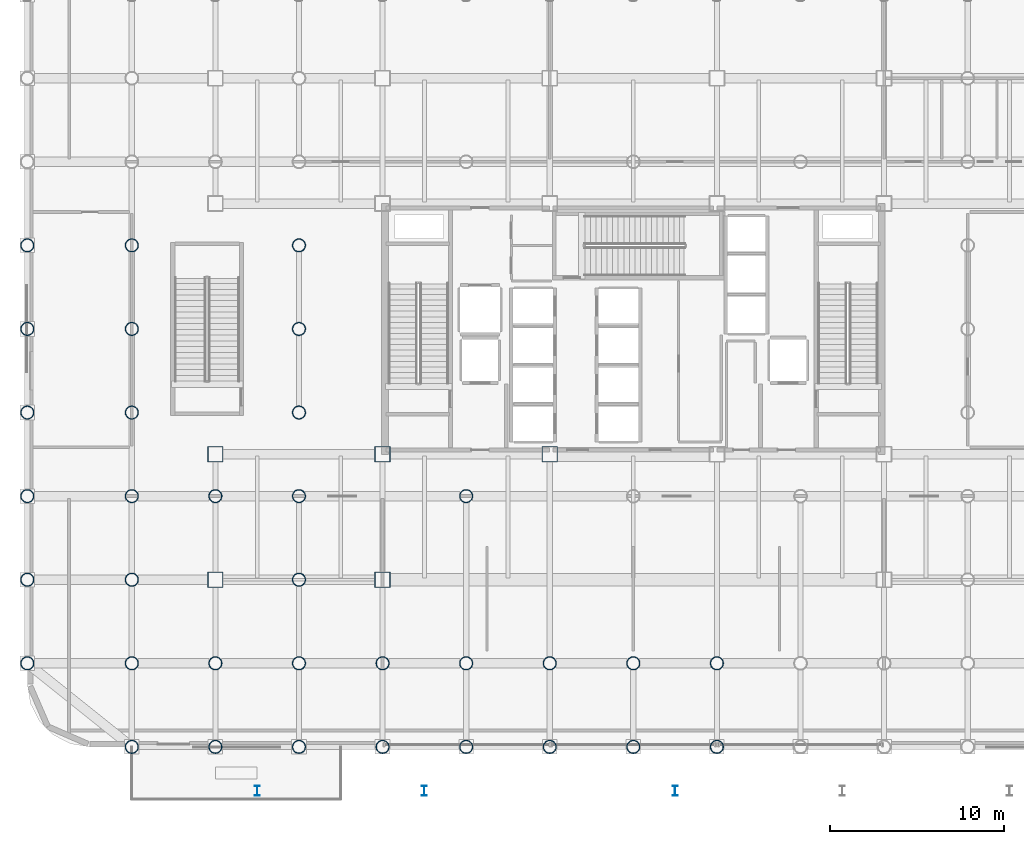
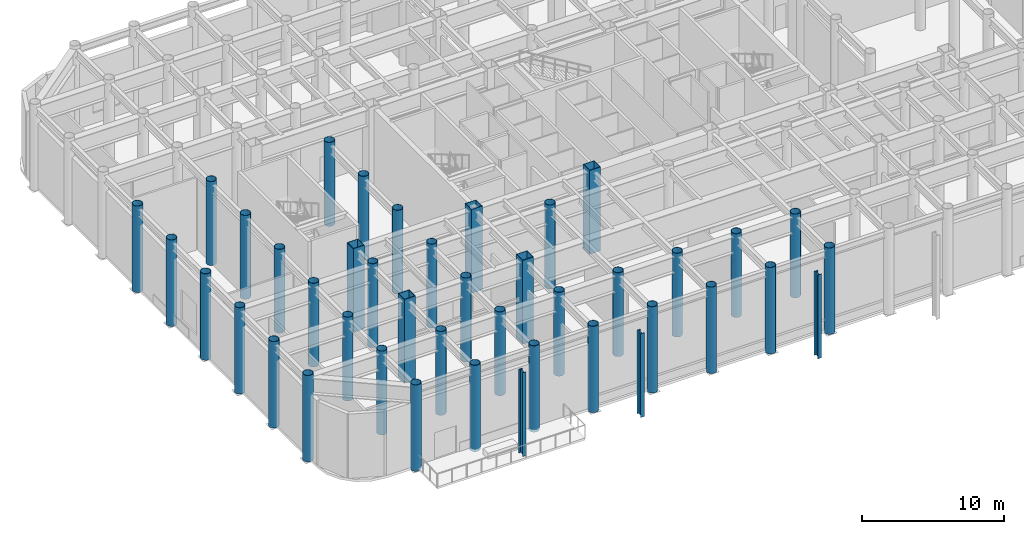
# One storey, part 1 of 23: 42 columns.
"""IFC4 building model written with IfcOpenShell, lengths in metres."""

from ifc_helpers import new_model, si_unit, direction, frame, origin, origin_2d, place, context, subcontext, project, spatial, hollow_rectangle, hollow_circle, i_section, extrude, material, material_profile, profile_set, type_object, element, save


model = new_model("IFC4")

# Units and contexts
model_context = context("Model", 3, precision=1e-05, world=origin(), true_north=direction((0.0, 1.0)))
body_context = subcontext(model_context, "Body", "Model", "MODEL_VIEW")
ifc_project = project(units=[si_unit("LENGTHUNIT", "METRE"), si_unit("AREAUNIT", "SQUARE_METRE"), si_unit("VOLUMEUNIT", "CUBIC_METRE"), si_unit("PLANEANGLEUNIT", "RADIAN"), si_unit("MASSUNIT", "GRAM", prefix="KILO")], contexts=[model_context])

# Site, building, storey
site_placement = place(None, origin())
site = spatial("IfcSite", under=ifc_project, at=site_placement, CompositionType="ELEMENT")
building_placement = place(site_placement, origin())
building = spatial("IfcBuilding", under=site, at=building_placement, Name="Kallvorn Hotel Tower", CompositionType="ELEMENT")
storey_placement = place(building_placement, frame((0.0, 0.0, 12.0)))
storey = spatial("IfcBuildingStorey", under=building, at=storey_placement, Name="L02", CompositionType="ELEMENT", Elevation=12.0)

# Columns
ifc_material_1 = material(Name="Structural steel S355J2H", Category="steel")
ifc_material_profile_1 = material_profile(ifc_material_1, hollow_circle(Radius=0.381103515625, WallThickness=0.031982421875, at=origin_2d()), Name="CHS 762x32")
ifc_profile_set_1 = profile_set([ifc_material_profile_1], Name="Structural steel S355J2H")
column_type_1 = type_object("IfcColumnType", Name="COL_CHS_762", PredefinedType="COLUMN", material=ifc_profile_set_1)
for number, where, z_axis, x_axis, name in (
    (1, (-34.800048828125, -19.199951171875, -0.219970703125), (0.0, 0.0, 1.0), (1.0, 0.0, 0.0), "L02 Exoskeleton Column EC01"),
    (2, (-34.800048828125, -14.39990234375, -0.219970703125), (0.0, 0.0, 1.0), (1.0, 0.0, 0.0), "L02 Exoskeleton Column EC02"),
    (3, (-34.800048828125, -9.60009765625, -0.219970703125), (0.0, 0.0, 1.0), (1.0, 0.0, 0.0), "L02 Exoskeleton Column EC03"),
    (4, (-34.800048828125, -4.800048828125, -0.219970703125), (0.0, 0.0, 1.0), (1.0, 0.0, 0.0), "L02 Exoskeleton Column EC04"),
    (5, (-34.800048828125, 0.0, -0.219970703125), (0.0, 0.0, 1.0), (1.0, 0.0, 0.0), "L02 Exoskeleton Column EC05"),
    (6, (-34.800048828125, 4.800048828125, -0.219970703125), (0.0, 0.0, 1.0), (1.0, 0.0, 0.0), "L02 Exoskeleton Column EC06"),
    (7, (-28.800048828125, -24.0, -0.219970703125), (0.0, 0.0, 1.0), (1.0, 0.0, 0.0), "L02 Exoskeleton Column EC10"),
):
    element("IfcColumn", number, at=place(storey_placement, frame(where, z_axis=z_axis, x_axis=x_axis)), inside=storey, type_object=column_type_1, Name=name, PredefinedType="COLUMN", context=body_context, shape_type="SweptSolid", body=[
        extrude(hollow_circle(Radius=0.381103515625, WallThickness=0.031982421875, at=origin_2d()), origin(), (0.0, 0.0, 1.0), 7.419921875),
    ])
for number, where, z_axis, x_axis, name in (
    (8, (-28.800048828125, -19.199951171875, 0.0), (0.0, 0.0, 1.0), (1.0, 0.0, 0.0), "L02 Exoskeleton Column EC11"),
    (9, (-28.800048828125, -14.39990234375, 0.0), (0.0, 0.0, 1.0), (1.0, 0.0, 0.0), "L02 Exoskeleton Column EC12"),
    (10, (-28.800048828125, -9.60009765625, 0.0), (0.0, 0.0, 1.0), (1.0, 0.0, 0.0), "L02 Exoskeleton Column EC13"),
    (11, (-28.800048828125, -4.800048828125, 0.0), (0.0, 0.0, 1.0), (1.0, 0.0, 0.0), "L02 Exoskeleton Column EC14"),
    (12, (-28.800048828125, 0.0, 0.0), (0.0, 0.0, 1.0), (1.0, 0.0, 0.0), "L02 Exoskeleton Column EC15"),
    (13, (-28.800048828125, 4.800048828125, 0.0), (0.0, 0.0, 1.0), (1.0, 0.0, 0.0), "L02 Exoskeleton Column EC16"),
):
    element("IfcColumn", number, at=place(storey_placement, frame(where, z_axis=z_axis, x_axis=x_axis)), inside=storey, type_object=column_type_1, Name=name, PredefinedType="COLUMN", context=body_context, shape_type="SweptSolid", body=[
        extrude(hollow_circle(Radius=0.381103515625, WallThickness=0.031982421875, at=origin_2d()), origin(), (0.0, 0.0, 1.0), 7.199951171875),
    ])
column_1_placement = place(storey_placement, frame((-24.0, -24.0, -0.219970703125), z_axis=(0.0, 0.0, 1.0), x_axis=(1.0, 0.0, 0.0)))
element("IfcColumn", 14, at=column_1_placement, inside=storey, type_object=column_type_1, Name="L02 Exoskeleton Column EC21", PredefinedType="COLUMN", context=body_context, shape_type="SweptSolid", body=[
    extrude(hollow_circle(Radius=0.381103515625, WallThickness=0.031982421875, at=origin_2d()), origin(), (0.0, 0.0, 1.0), 7.419921875),
])
for number, where, z_axis, x_axis, name in (
    (15, (-24.0, -19.199951171875, 0.0), (0.0, 0.0, 1.0), (1.0, 0.0, 0.0), "L02 Exoskeleton Column EC22"),
    (16, (-24.0, -9.60009765625, 0.0), (0.0, 0.0, 1.0), (1.0, 0.0, 0.0), "L02 Exoskeleton Column EC23"),
):
    element("IfcColumn", number, at=place(storey_placement, frame(where, z_axis=z_axis, x_axis=x_axis)), inside=storey, type_object=column_type_1, Name=name, PredefinedType="COLUMN", context=body_context, shape_type="SweptSolid", body=[
        extrude(hollow_circle(Radius=0.381103515625, WallThickness=0.031982421875, at=origin_2d()), origin(), (0.0, 0.0, 1.0), 7.199951171875),
    ])
column_2_placement = place(storey_placement, frame((-19.199951171875, -24.0, -0.219970703125), z_axis=(0.0, 0.0, 1.0), x_axis=(1.0, 0.0, 0.0)))
element("IfcColumn", 17, at=column_2_placement, inside=storey, type_object=column_type_1, Name="L02 Exoskeleton Column EC27", PredefinedType="COLUMN", context=body_context, shape_type="SweptSolid", body=[
    extrude(hollow_circle(Radius=0.381103515625, WallThickness=0.031982421875, at=origin_2d()), origin(), (0.0, 0.0, 1.0), 7.419921875),
])
for number, where, z_axis, x_axis, name in (
    (18, (-19.199951171875, -19.199951171875, 0.0), (0.0, 0.0, 1.0), (1.0, 0.0, 0.0), "L02 Exoskeleton Column EC28"),
    (19, (-19.199951171875, -14.39990234375, 0.0), (0.0, 0.0, 1.0), (1.0, 0.0, 0.0), "L02 Exoskeleton Column EC29"),
    (20, (-19.199951171875, -9.60009765625, 0.0), (0.0, 0.0, 1.0), (1.0, 0.0, 0.0), "L02 Exoskeleton Column EC30"),
    (21, (-19.199951171875, -4.800048828125, 0.0), (0.0, 0.0, 1.0), (1.0, 0.0, 0.0), "L02 Exoskeleton Column EC31"),
    (22, (-19.199951171875, 0.0, 0.0), (0.0, 0.0, 1.0), (1.0, 0.0, 0.0), "L02 Exoskeleton Column EC32"),
    (23, (-19.199951171875, 4.800048828125, 0.0), (0.0, 0.0, 1.0), (1.0, 0.0, 0.0), "L02 Exoskeleton Column EC33"),
):
    element("IfcColumn", number, at=place(storey_placement, frame(where, z_axis=z_axis, x_axis=x_axis)), inside=storey, type_object=column_type_1, Name=name, PredefinedType="COLUMN", context=body_context, shape_type="SweptSolid", body=[
        extrude(hollow_circle(Radius=0.381103515625, WallThickness=0.031982421875, at=origin_2d()), origin(), (0.0, 0.0, 1.0), 7.199951171875),
    ])
column_3_placement = place(storey_placement, frame((-14.39990234375, -24.0, -0.219970703125), z_axis=(0.0, 0.0, 1.0), x_axis=(1.0, 0.0, 0.0)))
element("IfcColumn", 24, at=column_3_placement, inside=storey, type_object=column_type_1, Name="L02 Exoskeleton Column EC38", PredefinedType="COLUMN", context=body_context, shape_type="SweptSolid", body=[
    extrude(hollow_circle(Radius=0.381103515625, WallThickness=0.031982421875, at=origin_2d()), origin(), (0.0, 0.0, 1.0), 7.419921875),
])
column_4_placement = place(storey_placement, frame((-14.39990234375, -19.199951171875, 0.0), z_axis=(0.0, 0.0, 1.0), x_axis=(1.0, 0.0, 0.0)))
element("IfcColumn", 25, at=column_4_placement, inside=storey, type_object=column_type_1, Name="L02 Exoskeleton Column EC39", PredefinedType="COLUMN", context=body_context, shape_type="SweptSolid", body=[
    extrude(hollow_circle(Radius=0.381103515625, WallThickness=0.031982421875, at=origin_2d()), origin(), (0.0, 0.0, 1.0), 7.199951171875),
])
column_5_placement = place(storey_placement, frame((-9.60009765625, -24.0, -0.219970703125), z_axis=(0.0, 0.0, 1.0), x_axis=(1.0, 0.0, 0.0)))
element("IfcColumn", 26, at=column_5_placement, inside=storey, type_object=column_type_1, Name="L02 Exoskeleton Column EC42", PredefinedType="COLUMN", context=body_context, shape_type="SweptSolid", body=[
    extrude(hollow_circle(Radius=0.381103515625, WallThickness=0.031982421875, at=origin_2d()), origin(), (0.0, 0.0, 1.0), 7.419921875),
])
for number, where, z_axis, x_axis, name in (
    (27, (-9.60009765625, -19.199951171875, 0.0), (0.0, 0.0, 1.0), (1.0, 0.0, 0.0), "L02 Exoskeleton Column EC43"),
    (28, (-9.60009765625, -9.60009765625, 0.0), (0.0, 0.0, 1.0), (1.0, 0.0, 0.0), "L02 Exoskeleton Column EC44"),
):
    element("IfcColumn", number, at=place(storey_placement, frame(where, z_axis=z_axis, x_axis=x_axis)), inside=storey, type_object=column_type_1, Name=name, PredefinedType="COLUMN", context=body_context, shape_type="SweptSolid", body=[
        extrude(hollow_circle(Radius=0.381103515625, WallThickness=0.031982421875, at=origin_2d()), origin(), (0.0, 0.0, 1.0), 7.199951171875),
    ])
column_6_placement = place(storey_placement, frame((-4.800048828125, -24.0, -0.219970703125), z_axis=(0.0, 0.0, 1.0), x_axis=(1.0, 0.0, 0.0)))
element("IfcColumn", 29, at=column_6_placement, inside=storey, type_object=column_type_1, Name="L02 Exoskeleton Column EC48", PredefinedType="COLUMN", context=body_context, shape_type="SweptSolid", body=[
    extrude(hollow_circle(Radius=0.381103515625, WallThickness=0.031982421875, at=origin_2d()), origin(), (0.0, 0.0, 1.0), 7.419921875),
])
column_7_placement = place(storey_placement, frame((-4.800048828125, -19.199951171875, 0.0), z_axis=(0.0, 0.0, 1.0), x_axis=(1.0, 0.0, 0.0)))
element("IfcColumn", 30, at=column_7_placement, inside=storey, type_object=column_type_1, Name="L02 Exoskeleton Column EC49", PredefinedType="COLUMN", context=body_context, shape_type="SweptSolid", body=[
    extrude(hollow_circle(Radius=0.381103515625, WallThickness=0.031982421875, at=origin_2d()), origin(), (0.0, 0.0, 1.0), 7.199951171875),
])
column_8_placement = place(storey_placement, frame((0.0, -24.0, -0.219970703125), z_axis=(0.0, 0.0, 1.0), x_axis=(1.0, 0.0, 0.0)))
element("IfcColumn", 31, at=column_8_placement, inside=storey, type_object=column_type_1, Name="L02 Exoskeleton Column EC52", PredefinedType="COLUMN", context=body_context, shape_type="SweptSolid", body=[
    extrude(hollow_circle(Radius=0.381103515625, WallThickness=0.031982421875, at=origin_2d()), origin(), (0.0, 0.0, 1.0), 7.419921875),
])
column_9_placement = place(storey_placement, frame((0.0, -19.199951171875, 0.0), z_axis=(0.0, 0.0, 1.0), x_axis=(1.0, 0.0, 0.0)))
element("IfcColumn", 32, at=column_9_placement, inside=storey, type_object=column_type_1, Name="L02 Exoskeleton Column EC53", PredefinedType="COLUMN", context=body_context, shape_type="SweptSolid", body=[
    extrude(hollow_circle(Radius=0.381103515625, WallThickness=0.031982421875, at=origin_2d()), origin(), (0.0, 0.0, 1.0), 7.199951171875),
])
column_10_placement = place(storey_placement, frame((4.800048828125, -24.0, -0.219970703125), z_axis=(0.0, 0.0, 1.0), x_axis=(1.0, 0.0, 0.0)))
element("IfcColumn", 33, at=column_10_placement, inside=storey, type_object=column_type_1, Name="L02 Exoskeleton Column EC58", PredefinedType="COLUMN", context=body_context, shape_type="SweptSolid", body=[
    extrude(hollow_circle(Radius=0.381103515625, WallThickness=0.031982421875, at=origin_2d()), origin(), (0.0, 0.0, 1.0), 7.419921875),
])
column_11_placement = place(storey_placement, frame((4.800048828125, -19.199951171875, 0.0), z_axis=(0.0, 0.0, 1.0), x_axis=(1.0, 0.0, 0.0)))
element("IfcColumn", 34, at=column_11_placement, inside=storey, type_object=column_type_1, Name="L02 Exoskeleton Column EC59", PredefinedType="COLUMN", context=body_context, shape_type="SweptSolid", body=[
    extrude(hollow_circle(Radius=0.381103515625, WallThickness=0.031982421875, at=origin_2d()), origin(), (0.0, 0.0, 1.0), 7.199951171875),
])
ifc_material_2 = material(Name="Structural steel S355J2H", Category="steel")
ifc_material_profile_2 = material_profile(ifc_material_2, hollow_rectangle(XDim=0.89990234375, YDim=0.89990234375, WallThickness=0.0400390625, at=origin_2d()), Name="RHS 900x900x40")
ifc_profile_set_2 = profile_set([ifc_material_profile_2], Name="Structural steel S355J2H")
column_type_2 = type_object("IfcColumnType", Name="COL_RHS_900", PredefinedType="COLUMN", material=ifc_profile_set_2)
for number, where, z_axis, x_axis, name in (
    (35, (-24.0, -14.39990234375, 0.0), (0.0, 0.0, 1.0), (1.0, 0.0, 0.0), "L02 Inner Column IC01"),
    (36, (-24.0, -7.199951171875, 0.0), (0.0, 0.0, 1.0), (1.0, 0.0, 0.0), "L02 Inner Column IC02"),
    (37, (-14.39990234375, -14.39990234375, 0.0), (0.0, 0.0, 1.0), (1.0, 0.0, 0.0), "L02 Inner Column IC05"),
    (38, (-14.39990234375, -7.199951171875, 0.0), (0.0, 0.0, 1.0), (1.0, 0.0, 0.0), "L02 Inner Column IC06"),
    (39, (-4.800048828125, -7.199951171875, 0.0), (0.0, 0.0, 1.0), (1.0, 0.0, 0.0), "L02 Inner Column IC09"),
):
    element("IfcColumn", number, at=place(storey_placement, frame(where, z_axis=z_axis, x_axis=x_axis)), inside=storey, type_object=column_type_2, Name=name, PredefinedType="COLUMN", context=body_context, shape_type="SweptSolid", body=[
        extrude(hollow_rectangle(XDim=0.89990234375, YDim=0.89990234375, WallThickness=0.0400390625, at=origin_2d()), origin(), (0.0, 0.0, 1.0), 7.199951171875),
    ])
ifc_material_3 = material(Name="Structural steel S355JR", Category="steel")
ifc_material_profile_3 = material_profile(ifc_material_3, i_section(OverallWidth=0.300048828125, OverallDepth=0.550048828125, WebThickness=0.014892578125, FlangeThickness=0.029052734375, at=origin_2d()), Name="HE 550 B")
ifc_profile_set_3 = profile_set([ifc_material_profile_3], Name="Structural steel S355JR")
column_type_3 = type_object("IfcColumnType", Name="PILASTER_HE550B", PredefinedType="PILASTER", material=ifc_profile_set_3)
for number, where, z_axis, x_axis, name in (
    (40, (-21.60009765625, -26.52001953125, 0.0), (0.0, 0.0, 1.0), (1.0, 0.0, 0.0), "L02 Chicago Colonnade Pilaster 01"),
    (41, (-12.0, -26.52001953125, 0.0), (0.0, 0.0, 1.0), (1.0, 0.0, 0.0), "L02 Chicago Colonnade Pilaster 02"),
    (42, (2.39990234375, -26.52001953125, 0.0), (0.0, 0.0, 1.0), (1.0, 0.0, 0.0), "L02 Chicago Colonnade Pilaster 03"),
):
    element("IfcColumn", number, at=place(storey_placement, frame(where, z_axis=z_axis, x_axis=x_axis)), inside=storey, type_object=column_type_3, Name=name, PredefinedType="PILASTER", context=body_context, shape_type="SweptSolid", body=[
        extrude(i_section(OverallWidth=0.300048828125, OverallDepth=0.550048828125, WebThickness=0.014892578125, FlangeThickness=0.029052734375, at=origin_2d()), origin(), (0.0, 0.0, 1.0), 7.199951171875),
    ])

save(model, "model.ifc")
